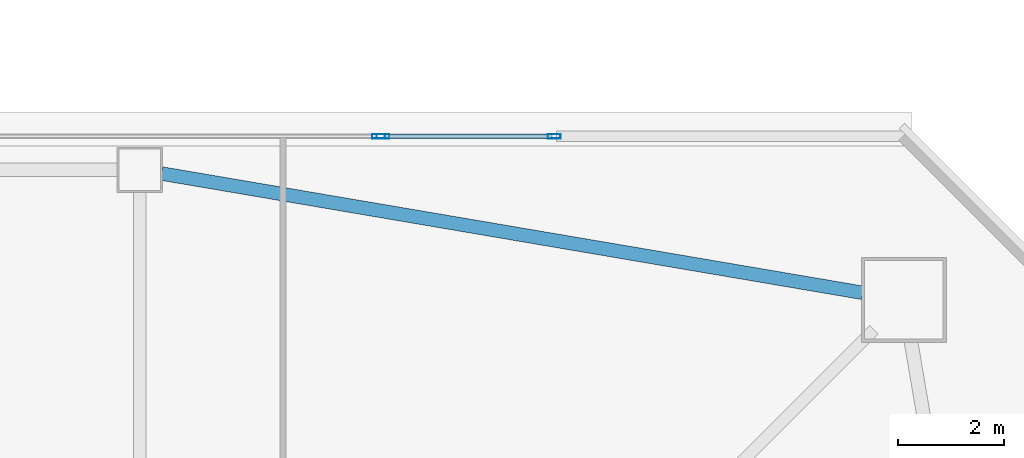
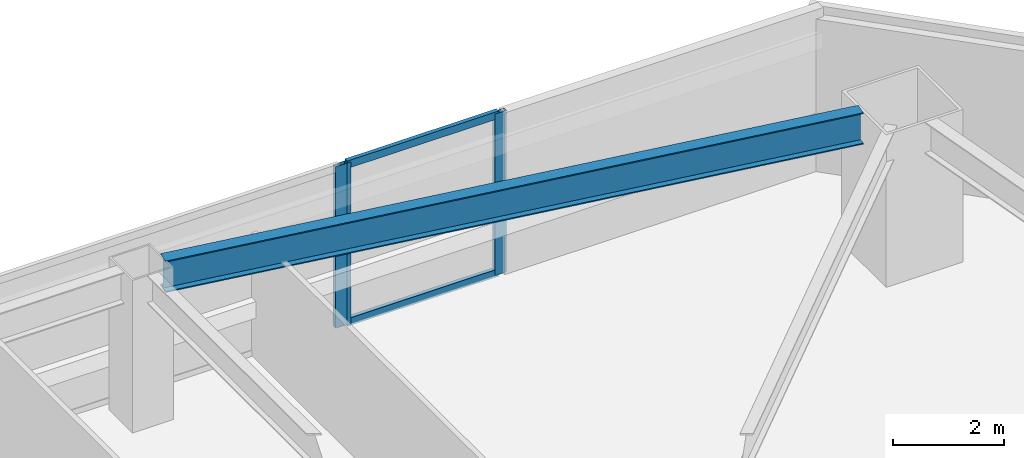
# One storey, part 18 of 48: 5 members, 1 beam, 2 elements without a shape of their own.
"""IFC4 building model written with IfcOpenShell, lengths in metres."""

from ifc_helpers import new_model, si_unit, direction, frame, origin, origin_2d, place, context, subcontext, project, spatial, hollow_rectangle, i_section, extrude, material, material_profile, profile_set, type_object, element, aggregate, save


model = new_model("IFC4")

# Units and contexts
model_context = context("Model", 3, precision=1e-05, world=origin(), true_north=direction((0.0, 1.0)))
body_context = subcontext(model_context, "Body", "Model", "MODEL_VIEW")
ifc_project = project(units=[si_unit("LENGTHUNIT", "METRE"), si_unit("AREAUNIT", "SQUARE_METRE"), si_unit("VOLUMEUNIT", "CUBIC_METRE"), si_unit("PLANEANGLEUNIT", "RADIAN"), si_unit("MASSUNIT", "GRAM", prefix="KILO")], contexts=[model_context])

# Site, building, storey
site_placement = place(None, origin())
site = spatial("IfcSite", under=ifc_project, at=site_placement, CompositionType="ELEMENT")
building_placement = place(site_placement, origin())
building = spatial("IfcBuilding", under=site, at=building_placement, Name="Tashvorn Skyway Center", CompositionType="ELEMENT")
storey_placement = place(building_placement, frame((0.0, 0.0, 56.550048828125)))
storey = spatial("IfcBuildingStorey", under=building, at=storey_placement, Name="L14", CompositionType="ELEMENT", Elevation=56.550048828125)

# Beam
ifc_material_1 = material(Name="Steel ASTM A992 Grade 50", Category="steel")
ifc_material_profile_1 = material_profile(ifc_material_1, i_section(OverallWidth=0.256103515625, OverallDepth=0.693115234375, WebThickness=0.014404296875, FlangeThickness=0.023681640625, at=origin_2d()), Name="W27X114")
ifc_profile_set_1 = profile_set([ifc_material_profile_1], Name="Steel ASTM A992 Grade 50")
beam_type = type_object("IfcBeamType", Name="BM-SPANDREL-W27X114", PredefinedType="SPANDREL", material=ifc_profile_set_1)
beam_placement = place(storey_placement, frame((61.016357421875, 51.933349609375, 3.00341796875), z_axis=(-0.985835025551, 0.16771792509, 0.0), x_axis=(-0.16771792509, -0.985835025551, 0.0)))
element("IfcBeam", 1, at=beam_placement, inside=storey, type_object=beam_type, Name="Tower 1 L14 Spandrel Beam 07", PredefinedType="SPANDREL", context=body_context, shape_type="SweptSolid", body=[
    extrude(i_section(OverallWidth=0.256103515625, OverallDepth=0.693115234375, WebThickness=0.014404296875, FlangeThickness=0.023681640625, at=origin_2d()), origin(), (0.0, 0.0, 1.0), 13.39208984375),
])

# Curtain wall, member
ifc_material_2 = material(Name="Thermally broken bronze-anodized aluminium 6063-T6", Category="aluminium")
curtain_wall_type = type_object("IfcCurtainWallType", Name="CW-CW-Z1", PredefinedType="NOTDEFINED", material=ifc_material_2)
curtain_wall_1_placement = place(storey_placement, origin())
curtain_wall_1 = element("IfcCurtainWall", 2, at=curtain_wall_1_placement, inside=storey, type_object=curtain_wall_type, Name="Tower 1 L14 North Unitised Curtain Wall Glazing Group 2", PredefinedType="NOTDEFINED")
ifc_material_profile_2 = material_profile(ifc_material_2, hollow_rectangle(XDim=0.0849609375, YDim=0.239990234375, WallThickness=0.0048828125, at=origin_2d()), Name="ALU-MULL-85x240")
ifc_profile_set_2 = profile_set([ifc_material_profile_2], Name="Thermally broken bronze-anodized aluminium 6063-T6")
member_type_1 = type_object("IfcMemberType", Name="CWM-CW-Z1", PredefinedType="MULLION", material=ifc_profile_set_2)
member_1_placement = place(storey_placement, frame((51.8974609375, 54.8798828125, 0.0), z_axis=(0.0, 0.0, 1.0), x_axis=(0.0, 1.0, 0.0)))
member_1 = element("IfcMember", 3, at=member_1_placement, type_object=member_type_1, Name="CW-Z1 mullion 3", PredefinedType="MULLION", context=body_context, shape_type="SweptSolid", body=[
    extrude(hollow_rectangle(XDim=0.0849609375, YDim=0.239990234375, WallThickness=0.0048828125, at=origin_2d()), origin(), (0.0, 0.0, 1.0), 3.550048828125),
])
aggregate(curtain_wall_1, [member_1])

# Curtain wall, members
curtain_wall_2_placement = place(storey_placement, origin())
curtain_wall_2 = element("IfcCurtainWall", 4, at=curtain_wall_2_placement, inside=storey, type_object=curtain_wall_type, Name="Tower 1 L14 North Unitised Curtain Wall Glazing Group 3", PredefinedType="NOTDEFINED")
member_2_placement = place(storey_placement, frame((51.982421875, 54.8798828125, 0.0), z_axis=(0.0, 0.0, 1.0), x_axis=(0.0, 1.0, 0.0)))
member_2 = element("IfcMember", 5, at=member_2_placement, type_object=member_type_1, Name="CW-Z1 mullion 1", PredefinedType="MULLION", context=body_context, shape_type="SweptSolid", body=[
    extrude(hollow_rectangle(XDim=0.0849609375, YDim=0.239990234375, WallThickness=0.0048828125, at=origin_2d()), origin(), (0.0, 0.0, 1.0), 3.550048828125),
])
member_3_placement = place(storey_placement, frame((55.210693359375, 54.8798828125, 0.0), z_axis=(0.0, 0.0, 1.0), x_axis=(0.0, 1.0, 0.0)))
member_3 = element("IfcMember", 6, at=member_3_placement, type_object=member_type_1, Name="CW-Z1 mullion 2", PredefinedType="MULLION", context=body_context, shape_type="SweptSolid", body=[
    extrude(hollow_rectangle(XDim=0.0849609375, YDim=0.239990234375, WallThickness=0.0048828125, at=origin_2d()), origin(), (0.0, 0.0, 1.0), 3.550048828125),
])
ifc_material_profile_3 = material_profile(ifc_material_2, hollow_rectangle(XDim=0.0849609375, YDim=0.1650390625, WallThickness=0.0048828125, at=origin_2d()), Name="ALU-TRAN-85x165")
ifc_profile_set_3 = profile_set([ifc_material_profile_3], Name="Thermally broken bronze-anodized aluminium 6063-T6")
member_type_2 = type_object("IfcMemberType", Name="CWT-CW-Z1", PredefinedType="USERDEFINED", material=ifc_profile_set_3)
member_4_placement = place(storey_placement, frame((52.02490234375, 54.8798828125, 0.04248046875), z_axis=(1.0, 0.0, 0.0), x_axis=(0.0, 1.0, 0.0)))
member_4 = element("IfcMember", 7, at=member_4_placement, type_object=member_type_2, Name="CW-Z1 transom 1.1", ObjectType="TRANSOM", PredefinedType="USERDEFINED", context=body_context, shape_type="SweptSolid", body=[
    extrude(hollow_rectangle(XDim=0.0849609375, YDim=0.1650390625, WallThickness=0.0048828125, at=origin_2d()), origin(), (0.0, 0.0, 1.0), 3.143310546875),
])
member_5_placement = place(storey_placement, frame((52.02490234375, 54.8798828125, 3.507568359375), z_axis=(1.0, 0.0, 0.0), x_axis=(0.0, 1.0, 0.0)))
member_5 = element("IfcMember", 8, at=member_5_placement, type_object=member_type_2, Name="CW-Z1 transom 1.2", ObjectType="TRANSOM", PredefinedType="USERDEFINED", context=body_context, shape_type="SweptSolid", body=[
    extrude(hollow_rectangle(XDim=0.0849609375, YDim=0.1650390625, WallThickness=0.0048828125, at=origin_2d()), origin(), (0.0, 0.0, 1.0), 3.143310546875),
])
aggregate(curtain_wall_2, [member_2, member_3, member_4, member_5])

save(model, "model.ifc")
